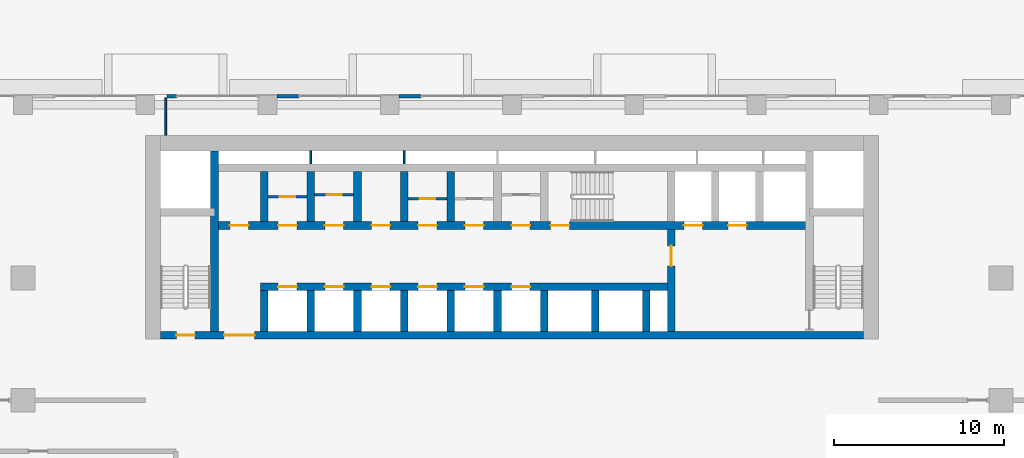
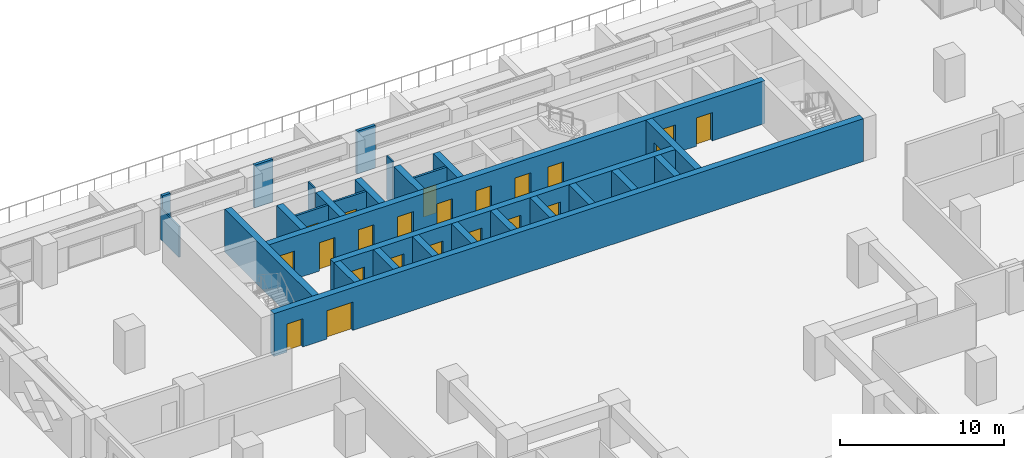
# One storey, part 14 of 24: 28 walls, 22 doors, 22 openings.
"""IFC4 building model written with IfcOpenShell, lengths in metres."""

from ifc_helpers import new_model, si_unit, direction, frame, frame_2d, origin, place, context, subcontext, project, spatial, rectangle, extrude, material, layer, layer_set, type_object, element, fill, save


model = new_model("IFC4")

# Units and contexts
model_context = context("Model", 3, precision=1e-05, world=origin(), true_north=direction((0.0, 1.0)))
body_context = subcontext(model_context, "Body", "Model", "MODEL_VIEW")
ifc_project = project(units=[si_unit("LENGTHUNIT", "METRE"), si_unit("AREAUNIT", "SQUARE_METRE"), si_unit("VOLUMEUNIT", "CUBIC_METRE"), si_unit("PLANEANGLEUNIT", "RADIAN"), si_unit("MASSUNIT", "GRAM", prefix="KILO")], contexts=[model_context])

# Site, building, storey
site_placement = place(None, origin())
site = spatial("IfcSite", under=ifc_project, at=site_placement, CompositionType="ELEMENT")
building_placement = place(site_placement, origin())
building = spatial("IfcBuilding", under=site, at=building_placement, Name="Saffron Iwan Residences", CompositionType="ELEMENT")
storey_placement = place(building_placement, frame((0.0, 0.0, 27.0)))
storey = spatial("IfcBuildingStorey", under=building, at=storey_placement, Name="L05", CompositionType="ELEMENT", Elevation=27.0)

# Wall, opening, door
ifc_material_1 = material(Name="Fire-rated plasterboard partition")
ifc_layer_1 = layer(ifc_material_1, 0.14990234375)
ifc_layer_set_1 = layer_set([ifc_layer_1], Name="Fire-rated plasterboard partition")
wall_type_1 = type_object("IfcWallType", Name="Core partition 150", PredefinedType="PARTITIONING", material=ifc_layer_set_1)
wall_1_placement = place(storey_placement, frame((36.02490234375, 74.39990234375, 0.0), z_axis=(0.0, 0.0, 1.0), x_axis=(1.0, 0.0, 0.0)))
wall_1 = element("IfcWall", 1, at=wall_1_placement, inside=storey, type_object=wall_type_1, Name="Core partition P01", PredefinedType="PARTITIONING", context=body_context, shape_type="SweptSolid", body=[
    extrude(rectangle(XDim=2.300048828125, YDim=0.14990234375, at=frame_2d((1.14990234375, 0.0))), origin(), (0.0, 0.0, 1.0), 3.179931640625),
])
opening_1_placement = place(wall_1_placement, frame((0.699951171875, 0.0, 0.0)))
opening_1 = element("IfcOpeningElement", 2, at=opening_1_placement, cuts=wall_1, Name="Opening SB", PredefinedType="OPENING", context=body_context, shape_type="SweptSolid", body=[
    extrude(rectangle(XDim=0.89990234375, YDim=2.10009765625, at=frame_2d((0.449951171875, 1.050048828125))), frame((0.0, 0.0849609375, 0.0), z_axis=(0.0, -1.0, 0.0), x_axis=(1.0, 0.0, 0.0)), (0.0, 0.0, 1.0), 0.169921875),
])
ifc_material_2 = material(Name="Steel fire door", Category="steel")
door_type_1 = type_object("IfcDoorType", Name="Store door 900", OperationType="NOTDEFINED", PredefinedType="DOOR", material=ifc_material_2)
door_1_placement = place(opening_1_placement, origin())
door_1 = element("IfcDoor", 3, at=door_1_placement, inside=storey, type_object=door_type_1, Name="Door Mop store", OperationType="SINGLE_SWING_LEFT", OverallHeight=2.10009765625, OverallWidth=0.89990234375, PredefinedType="DOOR", context=body_context, shape_type="SweptSolid", body=[
    extrude(rectangle(XDim=0.89990234375, YDim=2.10009765625, at=frame_2d((0.449951171875, 1.050048828125))), frame((0.0, 0.02490234375, 0.0), z_axis=(0.0, -1.0, 0.0), x_axis=(1.0, 0.0, 0.0)), (0.0, 0.0, 1.0), 0.050048828125),
])
fill(opening_1, door_1)

wall_2_placement = place(storey_placement, frame((38.77490234375, 74.51806640625, 0.0), z_axis=(0.0, 0.0, 1.0), x_axis=(1.0, 0.0, 0.0)))
wall_2 = element("IfcWall", 4, at=wall_2_placement, inside=storey, type_object=wall_type_1, Name="Core partition P02", PredefinedType="PARTITIONING", context=body_context, shape_type="SweptSolid", body=[
    extrude(rectangle(XDim=2.300048828125, YDim=0.14990234375, at=frame_2d((1.14990234375, 0.0))), origin(), (0.0, 0.0, 1.0), 3.179931640625),
])
opening_2_placement = place(wall_2_placement, frame((0.699951171875, 0.0, 0.0)))
opening_2 = element("IfcOpeningElement", 5, at=opening_2_placement, cuts=wall_2, Name="Opening SB", PredefinedType="OPENING", context=body_context, shape_type="SweptSolid", body=[
    extrude(rectangle(XDim=0.89990234375, YDim=2.10009765625, at=frame_2d((0.449951171875, 1.050048828125))), frame((0.0, 0.0849609375, 0.0), z_axis=(0.0, -1.0, 0.0), x_axis=(1.0, 0.0, 0.0)), (0.0, 0.0, 1.0), 0.169921875),
])
door_2_placement = place(opening_2_placement, origin())
door_2 = element("IfcDoor", 6, at=door_2_placement, inside=storey, type_object=door_type_1, Name="Door Spares store", OperationType="SINGLE_SWING_LEFT", OverallHeight=2.10009765625, OverallWidth=0.89990234375, PredefinedType="DOOR", context=body_context, shape_type="SweptSolid", body=[
    extrude(rectangle(XDim=0.89990234375, YDim=2.10009765625, at=frame_2d((0.449951171875, 1.050048828125))), frame((0.0, 0.02490234375, 0.0), z_axis=(0.0, -1.0, 0.0), x_axis=(1.0, 0.0, 0.0)), (0.0, 0.0, 1.0), 0.050048828125),
])
fill(opening_2, door_2)

wall_3_placement = place(storey_placement, frame((44.27490234375, 74.281982421875, 0.0), z_axis=(0.0, 0.0, 1.0), x_axis=(1.0, 0.0, 0.0)))
wall_3 = element("IfcWall", 7, at=wall_3_placement, inside=storey, type_object=wall_type_1, Name="Core partition P03", PredefinedType="PARTITIONING", context=body_context, shape_type="SweptSolid", body=[
    extrude(rectangle(XDim=2.300048828125, YDim=0.14990234375, at=frame_2d((1.14990234375, 0.0))), origin(), (0.0, 0.0, 1.0), 3.179931640625),
])
opening_3_placement = place(wall_3_placement, frame((0.699951171875, 0.0, 0.0)))
opening_3 = element("IfcOpeningElement", 8, at=opening_3_placement, cuts=wall_3, Name="Opening SB", PredefinedType="OPENING", context=body_context, shape_type="SweptSolid", body=[
    extrude(rectangle(XDim=0.89990234375, YDim=2.10009765625, at=frame_2d((0.449951171875, 1.050048828125))), frame((0.0, 0.0849609375, 0.0), z_axis=(0.0, -1.0, 0.0), x_axis=(1.0, 0.0, 0.0)), (0.0, 0.0, 1.0), 0.169921875),
])
door_3_placement = place(opening_3_placement, origin())
door_3 = element("IfcDoor", 9, at=door_3_placement, inside=storey, type_object=door_type_1, Name="Door Records store", OperationType="SINGLE_SWING_RIGHT", OverallHeight=2.10009765625, OverallWidth=0.89990234375, PredefinedType="DOOR", context=body_context, shape_type="SweptSolid", body=[
    extrude(rectangle(XDim=0.89990234375, YDim=2.10009765625, at=frame_2d((0.449951171875, 1.050048828125))), frame((0.0, 0.02490234375, 0.0), z_axis=(0.0, -1.0, 0.0), x_axis=(1.0, 0.0, 0.0)), (0.0, 0.0, 1.0), 0.050048828125),
])
fill(opening_3, door_3)

# Walls
ifc_material_3 = material(Name="Concrete C40/50", Category="concrete")
ifc_layer_2 = layer(ifc_material_3, 0.199951171875)
ifc_layer_set_2 = layer_set([ifc_layer_2], Name="Concrete C40/50")
wall_type_2 = type_object("IfcWallType", Name="EXTERNAL WALL 200", PredefinedType="SOLIDWALL", material=ifc_layer_set_2)
for number, where, z_axis, x_axis, name in (
    (10, (45.050048828125, 80.320068359375, 0.0), (0.0, 0.0, 1.0), (-1.0, 0.0, 0.0), "External wall infill CWD-L05-F5-5"),
    (11, (37.85009765625, 80.320068359375, 0.0), (0.0, 0.0, 1.0), (-1.0, 0.0, 0.0), "External wall infill CWD-L05-F5-6"),
):
    element("IfcWall", number, at=place(storey_placement, frame(where, z_axis=z_axis, x_axis=x_axis)), inside=storey, type_object=wall_type_2, Name=name, PredefinedType="SOLIDWALL", context=body_context, shape_type="SweptSolid", body=[
        extrude(rectangle(XDim=1.300048828125, YDim=0.199951171875, at=frame_2d((0.64990234375, 0.0))), origin(), (0.0, 0.0, 1.0), 3.179931640625),
    ])
wall_4_placement = place(storey_placement, frame((30.64990234375, 80.320068359375, 0.0), z_axis=(0.0, 0.0, 1.0), x_axis=(-1.0, 0.0, 0.0)))
element("IfcWall", 12, at=wall_4_placement, inside=storey, type_object=wall_type_2, Name="External wall infill CWD-L05-F5-7", PredefinedType="SOLIDWALL", context=body_context, shape_type="SweptSolid", body=[
    extrude(rectangle(XDim=0.579833984375, YDim=0.199951171875, at=frame_2d((0.2900390625, 0.0))), origin(), (0.0, 0.0, 1.0), 3.179931640625),
])
ifc_material_4 = material(Name="Glass", Category="glass")
ifc_layer_3 = layer(ifc_material_4, 0.10009765625)
ifc_layer_set_3 = layer_set([ifc_layer_3], Name="Glass")
wall_type_3 = type_object("IfcWallType", Name="Glazed screen wall 100", PredefinedType="PARTITIONING", material=ifc_layer_set_3)
wall_5_placement = place(storey_placement, frame((30.0, 78.001953125, 0.0), z_axis=(0.0, 0.0, 1.0), x_axis=(0.0, 1.0, 0.0)))
element("IfcWall", 13, at=wall_5_placement, inside=storey, type_object=wall_type_3, Name="W-L05-020", PredefinedType="PARTITIONING", context=body_context, shape_type="SweptSolid", body=[
    extrude(rectangle(XDim=2.22802734375, YDim=0.10009765625, at=frame_2d((1.114013671875, 0.0))), origin(), (0.0, 0.0, 1.0), 2.280029296875),
])
ifc_layer_4 = layer(ifc_material_1, 0.10009765625)
ifc_layer_set_4 = layer_set([ifc_layer_4], Name="Fire-rated plasterboard partition")
wall_type_4 = type_object("IfcWallType", Name="Riser partition 100", PredefinedType="PARTITIONING", material=ifc_layer_set_4)
for number, where, z_axis, x_axis, name in (
    (14, (38.550048828125, 76.324951171875, 0.0), (0.0, 0.0, 1.0), (0.0, 1.0, 0.0), "Core partition P06"),
    (15, (44.050048828125, 76.324951171875, 0.0), (0.0, 0.0, 1.0), (0.0, 1.0, 0.0), "Core partition P07"),
):
    element("IfcWall", number, at=place(storey_placement, frame(where, z_axis=z_axis, x_axis=x_axis)), inside=storey, type_object=wall_type_4, Name=name, PredefinedType="PARTITIONING", context=body_context, shape_type="SweptSolid", body=[
        extrude(rectangle(XDim=0.775146484375, YDim=0.10009765625, at=frame_2d((0.3876953125, 0.0))), origin(), (0.0, 0.0, 1.0), 3.179931640625),
    ])

# Wall, openings, doors
ifc_material_5 = material(Name="Concrete C60/75", Category="concrete")
ifc_layer_5 = layer(ifc_material_5, 0.449951171875)
ifc_layer_set_5 = layer_set([ifc_layer_5], Name="Concrete C60/75")
wall_type_5 = type_object("IfcWallType", Name="WALL CORE 450 C60/75 3180 HIGH", PredefinedType="SHEAR", material=ifc_layer_set_5)
wall_6_placement = place(storey_placement, frame((29.699951171875, 66.22509765625, 0.0), z_axis=(0.0, 0.0, 1.0), x_axis=(1.0, 0.0, 0.0)))
wall_6 = element("IfcWall", 16, at=wall_6_placement, inside=storey, type_object=wall_type_5, Name="Core wall", PredefinedType="SHEAR", context=body_context, shape_type="SweptSolid", body=[
    extrude(rectangle(XDim=41.400146484375, YDim=0.449951171875, at=frame_2d((20.7001953125, 0.0))), origin(), (0.0, 0.0, 1.0), 3.179931640625),
])
opening_4_placement = place(wall_6_placement, frame((0.925048828125, 0.0, 0.0)))
opening_4 = element("IfcOpeningElement", 17, at=opening_4_placement, cuts=wall_6, Name="Opening SD", PredefinedType="OPENING", context=body_context, shape_type="SweptSolid", body=[
    extrude(rectangle(XDim=1.10009765625, YDim=2.10009765625, at=frame_2d((0.550048828125, 1.050048828125))), frame((0.0, 0.23486328125, 0.0), z_axis=(0.0, -1.0, 0.0), x_axis=(1.0, 0.0, 0.0)), (0.0, 0.0, 1.0), 0.469970703125),
])
opening_5_placement = place(wall_6_placement, frame((3.737548828125, 0.0, 0.0)))
opening_5 = element("IfcOpeningElement", 18, at=opening_5_placement, cuts=wall_6, Name="Opening DD", PredefinedType="OPENING", context=body_context, shape_type="SweptSolid", body=[
    extrude(rectangle(XDim=1.800048828125, YDim=2.10009765625, at=frame_2d((0.89990234375, 1.050048828125))), frame((0.0, 0.23486328125, 0.0), z_axis=(0.0, -1.0, 0.0), x_axis=(1.0, 0.0, 0.0)), (0.0, 0.0, 1.0), 0.469970703125),
])
door_type_2 = type_object("IfcDoorType", Name="Lobby double door 1800", OperationType="DOUBLE_DOOR_SINGLE_SWING", PredefinedType="DOOR", material=ifc_material_2)
door_4_placement = place(opening_5_placement, origin())
door_4 = element("IfcDoor", 19, at=door_4_placement, inside=storey, type_object=door_type_2, Name="Lobby doors", OperationType="DOUBLE_DOOR_SINGLE_SWING", OverallHeight=2.10009765625, OverallWidth=1.800048828125, PredefinedType="DOOR", context=body_context, shape_type="SweptSolid", body=[
    extrude(rectangle(XDim=1.800048828125, YDim=2.10009765625, at=frame_2d((0.89990234375, 1.050048828125))), frame((0.0, 0.02490234375, 0.0), z_axis=(0.0, -1.0, 0.0), x_axis=(1.0, 0.0, 0.0)), (0.0, 0.0, 1.0), 0.050048828125),
])
fill(opening_5, door_4)
door_type_3 = type_object("IfcDoorType", Name="Stair door 1100", OperationType="NOTDEFINED", PredefinedType="DOOR", material=ifc_material_2)
door_5_placement = place(opening_4_placement, origin())
door_5 = element("IfcDoor", 20, at=door_5_placement, inside=storey, type_object=door_type_3, Name="Stair door ST-W", OperationType="SINGLE_SWING_LEFT", OverallHeight=2.10009765625, OverallWidth=1.10009765625, PredefinedType="DOOR", context=body_context, shape_type="SweptSolid", body=[
    extrude(rectangle(XDim=1.10009765625, YDim=2.10009765625, at=frame_2d((0.550048828125, 1.050048828125))), frame((0.0, 0.02490234375, 0.0), z_axis=(0.0, -1.0, 0.0), x_axis=(1.0, 0.0, 0.0)), (0.0, 0.0, 1.0), 0.050048828125),
])
fill(opening_4, door_5)

wall_7_placement = place(storey_placement, frame((35.574951171875, 69.10009765625, 0.0), z_axis=(0.0, 0.0, 1.0), x_axis=(1.0, 0.0, 0.0)))
wall_7 = element("IfcWall", 21, at=wall_7_placement, inside=storey, type_object=wall_type_5, Name="Core wall", PredefinedType="SHEAR", context=body_context, shape_type="SweptSolid", body=[
    extrude(rectangle(XDim=24.199951171875, YDim=0.449951171875, at=frame_2d((12.10009765625, 0.0))), origin(), (0.0, 0.0, 1.0), 3.179931640625),
])
opening_6_placement = place(wall_7_placement, frame((1.050048828125, 0.0, 0.0)))
opening_6 = element("IfcOpeningElement", 22, at=opening_6_placement, cuts=wall_7, Name="Opening LD", PredefinedType="OPENING", context=body_context, shape_type="SweptSolid", body=[
    extrude(rectangle(XDim=1.10009765625, YDim=2.10009765625, at=frame_2d((0.550048828125, 1.050048828125))), frame((0.0, 0.23486328125, 0.0), z_axis=(0.0, -1.0, 0.0), x_axis=(1.0, 0.0, 0.0)), (0.0, 0.0, 1.0), 0.469970703125),
])
opening_7_placement = place(wall_7_placement, frame((3.800048828125, 0.0, 0.0)))
opening_7 = element("IfcOpeningElement", 23, at=opening_7_placement, cuts=wall_7, Name="Opening LD", PredefinedType="OPENING", context=body_context, shape_type="SweptSolid", body=[
    extrude(rectangle(XDim=1.10009765625, YDim=2.10009765625, at=frame_2d((0.550048828125, 1.050048828125))), frame((0.0, 0.23486328125, 0.0), z_axis=(0.0, -1.0, 0.0), x_axis=(1.0, 0.0, 0.0)), (0.0, 0.0, 1.0), 0.469970703125),
])
opening_8_placement = place(wall_7_placement, frame((6.550048828125, 0.0, 0.0)))
opening_8 = element("IfcOpeningElement", 24, at=opening_8_placement, cuts=wall_7, Name="Opening LD", PredefinedType="OPENING", context=body_context, shape_type="SweptSolid", body=[
    extrude(rectangle(XDim=1.10009765625, YDim=2.10009765625, at=frame_2d((0.550048828125, 1.050048828125))), frame((0.0, 0.23486328125, 0.0), z_axis=(0.0, -1.0, 0.0), x_axis=(1.0, 0.0, 0.0)), (0.0, 0.0, 1.0), 0.469970703125),
])
opening_9_placement = place(wall_7_placement, frame((9.300048828125, 0.0, 0.0)))
opening_9 = element("IfcOpeningElement", 25, at=opening_9_placement, cuts=wall_7, Name="Opening LD", PredefinedType="OPENING", context=body_context, shape_type="SweptSolid", body=[
    extrude(rectangle(XDim=1.10009765625, YDim=2.10009765625, at=frame_2d((0.550048828125, 1.050048828125))), frame((0.0, 0.23486328125, 0.0), z_axis=(0.0, -1.0, 0.0), x_axis=(1.0, 0.0, 0.0)), (0.0, 0.0, 1.0), 0.469970703125),
])
opening_10_placement = place(wall_7_placement, frame((12.050048828125, 0.0, 0.0)))
opening_10 = element("IfcOpeningElement", 26, at=opening_10_placement, cuts=wall_7, Name="Opening LD", PredefinedType="OPENING", context=body_context, shape_type="SweptSolid", body=[
    extrude(rectangle(XDim=1.10009765625, YDim=2.10009765625, at=frame_2d((0.550048828125, 1.050048828125))), frame((0.0, 0.23486328125, 0.0), z_axis=(0.0, -1.0, 0.0), x_axis=(1.0, 0.0, 0.0)), (0.0, 0.0, 1.0), 0.469970703125),
])
opening_11_placement = place(wall_7_placement, frame((14.800048828125, 0.0, 0.0)))
opening_11 = element("IfcOpeningElement", 27, at=opening_11_placement, cuts=wall_7, Name="Opening LD", PredefinedType="OPENING", context=body_context, shape_type="SweptSolid", body=[
    extrude(rectangle(XDim=1.10009765625, YDim=2.10009765625, at=frame_2d((0.550048828125, 1.050048828125))), frame((0.0, 0.23486328125, 0.0), z_axis=(0.0, -1.0, 0.0), x_axis=(1.0, 0.0, 0.0)), (0.0, 0.0, 1.0), 0.469970703125),
])
door_type_4 = type_object("IfcDoorType", Name="Lift landing door 1100", OperationType="SLIDING_TO_LEFT", PredefinedType="DOOR", material=ifc_material_2)
door_6_placement = place(opening_6_placement, origin())
door_6 = element("IfcDoor", 28, at=door_6_placement, inside=storey, type_object=door_type_4, Name="Landing doors LR1", OperationType="SLIDING_TO_LEFT", OverallHeight=2.10009765625, OverallWidth=1.10009765625, PredefinedType="DOOR", context=body_context, shape_type="SweptSolid", body=[
    extrude(rectangle(XDim=1.10009765625, YDim=2.10009765625, at=frame_2d((0.550048828125, 1.050048828125))), frame((0.0, 0.02490234375, 0.0), z_axis=(0.0, -1.0, 0.0), x_axis=(1.0, 0.0, 0.0)), (0.0, 0.0, 1.0), 0.050048828125),
])
fill(opening_6, door_6)
door_7_placement = place(opening_7_placement, origin())
door_7 = element("IfcDoor", 29, at=door_7_placement, inside=storey, type_object=door_type_4, Name="Landing doors LR2", OperationType="SLIDING_TO_LEFT", OverallHeight=2.10009765625, OverallWidth=1.10009765625, PredefinedType="DOOR", context=body_context, shape_type="SweptSolid", body=[
    extrude(rectangle(XDim=1.10009765625, YDim=2.10009765625, at=frame_2d((0.550048828125, 1.050048828125))), frame((0.0, 0.02490234375, 0.0), z_axis=(0.0, -1.0, 0.0), x_axis=(1.0, 0.0, 0.0)), (0.0, 0.0, 1.0), 0.050048828125),
])
fill(opening_7, door_7)
door_8_placement = place(opening_8_placement, origin())
door_8 = element("IfcDoor", 30, at=door_8_placement, inside=storey, type_object=door_type_4, Name="Landing doors LR3", OperationType="SLIDING_TO_LEFT", OverallHeight=2.10009765625, OverallWidth=1.10009765625, PredefinedType="DOOR", context=body_context, shape_type="SweptSolid", body=[
    extrude(rectangle(XDim=1.10009765625, YDim=2.10009765625, at=frame_2d((0.550048828125, 1.050048828125))), frame((0.0, 0.02490234375, 0.0), z_axis=(0.0, -1.0, 0.0), x_axis=(1.0, 0.0, 0.0)), (0.0, 0.0, 1.0), 0.050048828125),
])
fill(opening_8, door_8)
door_9_placement = place(opening_9_placement, origin())
door_9 = element("IfcDoor", 31, at=door_9_placement, inside=storey, type_object=door_type_4, Name="Landing doors LR4", OperationType="SLIDING_TO_LEFT", OverallHeight=2.10009765625, OverallWidth=1.10009765625, PredefinedType="DOOR", context=body_context, shape_type="SweptSolid", body=[
    extrude(rectangle(XDim=1.10009765625, YDim=2.10009765625, at=frame_2d((0.550048828125, 1.050048828125))), frame((0.0, 0.02490234375, 0.0), z_axis=(0.0, -1.0, 0.0), x_axis=(1.0, 0.0, 0.0)), (0.0, 0.0, 1.0), 0.050048828125),
])
fill(opening_9, door_9)
door_10_placement = place(opening_10_placement, origin())
door_10 = element("IfcDoor", 32, at=door_10_placement, inside=storey, type_object=door_type_4, Name="Landing doors LR5", OperationType="SLIDING_TO_LEFT", OverallHeight=2.10009765625, OverallWidth=1.10009765625, PredefinedType="DOOR", context=body_context, shape_type="SweptSolid", body=[
    extrude(rectangle(XDim=1.10009765625, YDim=2.10009765625, at=frame_2d((0.550048828125, 1.050048828125))), frame((0.0, 0.02490234375, 0.0), z_axis=(0.0, -1.0, 0.0), x_axis=(1.0, 0.0, 0.0)), (0.0, 0.0, 1.0), 0.050048828125),
])
fill(opening_10, door_10)
door_11_placement = place(opening_11_placement, origin())
door_11 = element("IfcDoor", 33, at=door_11_placement, inside=storey, type_object=door_type_4, Name="Landing doors LR6", OperationType="SLIDING_TO_LEFT", OverallHeight=2.10009765625, OverallWidth=1.10009765625, PredefinedType="DOOR", context=body_context, shape_type="SweptSolid", body=[
    extrude(rectangle(XDim=1.10009765625, YDim=2.10009765625, at=frame_2d((0.550048828125, 1.050048828125))), frame((0.0, 0.02490234375, 0.0), z_axis=(0.0, -1.0, 0.0), x_axis=(1.0, 0.0, 0.0)), (0.0, 0.0, 1.0), 0.050048828125),
])
fill(opening_11, door_11)

wall_8_placement = place(storey_placement, frame((32.875, 72.699951171875, 0.0), z_axis=(0.0, 0.0, 1.0), x_axis=(1.0, 0.0, 0.0)))
wall_8 = element("IfcWall", 34, at=wall_8_placement, inside=storey, type_object=wall_type_5, Name="Core wall", PredefinedType="SHEAR", context=body_context, shape_type="SweptSolid", body=[
    extrude(rectangle(XDim=35.050048828125, YDim=0.449951171875, at=frame_2d((17.52490234375, 0.0))), origin(), (0.0, 0.0, 1.0), 3.179931640625),
])
opening_12_placement = place(wall_8_placement, frame((19.800048828125, 0.0, 0.0)))
opening_12 = element("IfcOpeningElement", 35, at=opening_12_placement, cuts=wall_8, Name="Opening SD", PredefinedType="OPENING", context=body_context, shape_type="SweptSolid", body=[
    extrude(rectangle(XDim=1.10009765625, YDim=2.10009765625, at=frame_2d((0.550048828125, 1.050048828125))), frame((0.0, 0.23486328125, 0.0), z_axis=(0.0, -1.0, 0.0), x_axis=(1.0, 0.0, 0.0)), (0.0, 0.0, 1.0), 0.469970703125),
])
opening_13_placement = place(wall_8_placement, frame((27.64990234375, 0.0, 0.0)))
opening_13 = element("IfcOpeningElement", 36, at=opening_13_placement, cuts=wall_8, Name="Opening LD", PredefinedType="OPENING", context=body_context, shape_type="SweptSolid", body=[
    extrude(rectangle(XDim=1.10009765625, YDim=2.10009765625, at=frame_2d((0.550048828125, 1.050048828125))), frame((0.0, 0.23486328125, 0.0), z_axis=(0.0, -1.0, 0.0), x_axis=(1.0, 0.0, 0.0)), (0.0, 0.0, 1.0), 0.469970703125),
])
opening_14_placement = place(wall_8_placement, frame((30.25, 0.0, 0.0)))
opening_14 = element("IfcOpeningElement", 37, at=opening_14_placement, cuts=wall_8, Name="Opening LD", PredefinedType="OPENING", context=body_context, shape_type="SweptSolid", body=[
    extrude(rectangle(XDim=1.10009765625, YDim=2.10009765625, at=frame_2d((0.550048828125, 1.050048828125))), frame((0.0, 0.23486328125, 0.0), z_axis=(0.0, -1.0, 0.0), x_axis=(1.0, 0.0, 0.0)), (0.0, 0.0, 1.0), 0.469970703125),
])
opening_15_placement = place(wall_8_placement, frame((3.75, 0.0, 0.0)))
opening_15 = element("IfcOpeningElement", 38, at=opening_15_placement, cuts=wall_8, Name="Opening SR", PredefinedType="OPENING", context=body_context, shape_type="SweptSolid", body=[
    extrude(rectangle(XDim=1.10009765625, YDim=2.10009765625, at=frame_2d((0.550048828125, 1.050048828125))), frame((0.0, 0.23486328125, 0.0), z_axis=(0.0, -1.0, 0.0), x_axis=(1.0, 0.0, 0.0)), (0.0, 0.0, 1.0), 0.469970703125),
])
opening_16_placement = place(wall_8_placement, frame((6.5, 0.0, 0.0)))
opening_16 = element("IfcOpeningElement", 39, at=opening_16_placement, cuts=wall_8, Name="Opening SR", PredefinedType="OPENING", context=body_context, shape_type="SweptSolid", body=[
    extrude(rectangle(XDim=1.10009765625, YDim=2.10009765625, at=frame_2d((0.550048828125, 1.050048828125))), frame((0.0, 0.23486328125, 0.0), z_axis=(0.0, -1.0, 0.0), x_axis=(1.0, 0.0, 0.0)), (0.0, 0.0, 1.0), 0.469970703125),
])
opening_17_placement = place(wall_8_placement, frame((9.25, 0.0, 0.0)))
opening_17 = element("IfcOpeningElement", 40, at=opening_17_placement, cuts=wall_8, Name="Opening SR", PredefinedType="OPENING", context=body_context, shape_type="SweptSolid", body=[
    extrude(rectangle(XDim=1.10009765625, YDim=2.10009765625, at=frame_2d((0.550048828125, 1.050048828125))), frame((0.0, 0.23486328125, 0.0), z_axis=(0.0, -1.0, 0.0), x_axis=(1.0, 0.0, 0.0)), (0.0, 0.0, 1.0), 0.469970703125),
])
opening_18_placement = place(wall_8_placement, frame((12.0, 0.0, 0.0)))
opening_18 = element("IfcOpeningElement", 41, at=opening_18_placement, cuts=wall_8, Name="Opening SR", PredefinedType="OPENING", context=body_context, shape_type="SweptSolid", body=[
    extrude(rectangle(XDim=1.10009765625, YDim=2.10009765625, at=frame_2d((0.550048828125, 1.050048828125))), frame((0.0, 0.23486328125, 0.0), z_axis=(0.0, -1.0, 0.0), x_axis=(1.0, 0.0, 0.0)), (0.0, 0.0, 1.0), 0.469970703125),
])
opening_19_placement = place(wall_8_placement, frame((14.75, 0.0, 0.0)))
opening_19 = element("IfcOpeningElement", 42, at=opening_19_placement, cuts=wall_8, Name="Opening SR", PredefinedType="OPENING", context=body_context, shape_type="SweptSolid", body=[
    extrude(rectangle(XDim=1.10009765625, YDim=2.10009765625, at=frame_2d((0.550048828125, 1.050048828125))), frame((0.0, 0.23486328125, 0.0), z_axis=(0.0, -1.0, 0.0), x_axis=(1.0, 0.0, 0.0)), (0.0, 0.0, 1.0), 0.469970703125),
])
opening_20_placement = place(wall_8_placement, frame((17.5, 0.0, 0.0)))
opening_20 = element("IfcOpeningElement", 43, at=opening_20_placement, cuts=wall_8, Name="Opening SR", PredefinedType="OPENING", context=body_context, shape_type="SweptSolid", body=[
    extrude(rectangle(XDim=1.10009765625, YDim=2.10009765625, at=frame_2d((0.550048828125, 1.050048828125))), frame((0.0, 0.23486328125, 0.0), z_axis=(0.0, -1.0, 0.0), x_axis=(1.0, 0.0, 0.0)), (0.0, 0.0, 1.0), 0.469970703125),
])
opening_21_placement = place(wall_8_placement, frame((0.91259765625, 0.0, 0.0)))
opening_21 = element("IfcOpeningElement", 44, at=opening_21_placement, cuts=wall_8, Name="Opening SR", PredefinedType="OPENING", context=body_context, shape_type="SweptSolid", body=[
    extrude(rectangle(XDim=1.10009765625, YDim=2.10009765625, at=frame_2d((0.550048828125, 1.050048828125))), frame((0.0, 0.23486328125, 0.0), z_axis=(0.0, -1.0, 0.0), x_axis=(1.0, 0.0, 0.0)), (0.0, 0.0, 1.0), 0.469970703125),
])
door_12_placement = place(opening_13_placement, origin())
door_12 = element("IfcDoor", 45, at=door_12_placement, inside=storey, type_object=door_type_4, Name="Landing doors FF1", OperationType="SLIDING_TO_LEFT", OverallHeight=2.10009765625, OverallWidth=1.10009765625, PredefinedType="DOOR", context=body_context, shape_type="SweptSolid", body=[
    extrude(rectangle(XDim=1.10009765625, YDim=2.10009765625, at=frame_2d((0.550048828125, 1.050048828125))), frame((0.0, 0.02490234375, 0.0), z_axis=(0.0, -1.0, 0.0), x_axis=(1.0, 0.0, 0.0)), (0.0, 0.0, 1.0), 0.050048828125),
])
fill(opening_13, door_12)
door_13_placement = place(opening_14_placement, origin())
door_13 = element("IfcDoor", 46, at=door_13_placement, inside=storey, type_object=door_type_4, Name="Landing doors FF2", OperationType="SLIDING_TO_LEFT", OverallHeight=2.10009765625, OverallWidth=1.10009765625, PredefinedType="DOOR", context=body_context, shape_type="SweptSolid", body=[
    extrude(rectangle(XDim=1.10009765625, YDim=2.10009765625, at=frame_2d((0.550048828125, 1.050048828125))), frame((0.0, 0.02490234375, 0.0), z_axis=(0.0, -1.0, 0.0), x_axis=(1.0, 0.0, 0.0)), (0.0, 0.0, 1.0), 0.050048828125),
])
fill(opening_14, door_13)
door_type_5 = type_object("IfcDoorType", Name="Service door 1100", OperationType="NOTDEFINED", PredefinedType="DOOR", material=ifc_material_2)
door_14_placement = place(opening_15_placement, origin())
door_14 = element("IfcDoor", 47, at=door_14_placement, inside=storey, type_object=door_type_5, Name="Door Trolley store", OperationType="SINGLE_SWING_LEFT", OverallHeight=2.10009765625, OverallWidth=1.10009765625, PredefinedType="DOOR", context=body_context, shape_type="SweptSolid", body=[
    extrude(rectangle(XDim=1.10009765625, YDim=2.10009765625, at=frame_2d((0.550048828125, 1.050048828125))), frame((0.0, 0.02490234375, 0.0), z_axis=(0.0, -1.0, 0.0), x_axis=(1.0, 0.0, 0.0)), (0.0, 0.0, 1.0), 0.050048828125),
])
fill(opening_15, door_14)
door_15_placement = place(opening_16_placement, origin())
door_15 = element("IfcDoor", 48, at=door_15_placement, inside=storey, type_object=door_type_5, Name="Door Communications room", OperationType="SINGLE_SWING_LEFT", OverallHeight=2.10009765625, OverallWidth=1.10009765625, PredefinedType="DOOR", context=body_context, shape_type="SweptSolid", body=[
    extrude(rectangle(XDim=1.10009765625, YDim=2.10009765625, at=frame_2d((0.550048828125, 1.050048828125))), frame((0.0, 0.02490234375, 0.0), z_axis=(0.0, -1.0, 0.0), x_axis=(1.0, 0.0, 0.0)), (0.0, 0.0, 1.0), 0.050048828125),
])
fill(opening_16, door_15)
door_16_placement = place(opening_17_placement, origin())
door_16 = element("IfcDoor", 49, at=door_16_placement, inside=storey, type_object=door_type_5, Name="Door Switch room", OperationType="SINGLE_SWING_LEFT", OverallHeight=2.10009765625, OverallWidth=1.10009765625, PredefinedType="DOOR", context=body_context, shape_type="SweptSolid", body=[
    extrude(rectangle(XDim=1.10009765625, YDim=2.10009765625, at=frame_2d((0.550048828125, 1.050048828125))), frame((0.0, 0.02490234375, 0.0), z_axis=(0.0, -1.0, 0.0), x_axis=(1.0, 0.0, 0.0)), (0.0, 0.0, 1.0), 0.050048828125),
])
fill(opening_17, door_16)
door_17_placement = place(opening_18_placement, origin())
door_17 = element("IfcDoor", 50, at=door_17_placement, inside=storey, type_object=door_type_5, Name="Door Furniture store", OperationType="SINGLE_SWING_LEFT", OverallHeight=2.10009765625, OverallWidth=1.10009765625, PredefinedType="DOOR", context=body_context, shape_type="SweptSolid", body=[
    extrude(rectangle(XDim=1.10009765625, YDim=2.10009765625, at=frame_2d((0.550048828125, 1.050048828125))), frame((0.0, 0.02490234375, 0.0), z_axis=(0.0, -1.0, 0.0), x_axis=(1.0, 0.0, 0.0)), (0.0, 0.0, 1.0), 0.050048828125),
])
fill(opening_18, door_17)
door_18_placement = place(opening_19_placement, origin())
door_18 = element("IfcDoor", 51, at=door_18_placement, inside=storey, type_object=door_type_5, Name="Door Housekeeping store", OperationType="SINGLE_SWING_LEFT", OverallHeight=2.10009765625, OverallWidth=1.10009765625, PredefinedType="DOOR", context=body_context, shape_type="SweptSolid", body=[
    extrude(rectangle(XDim=1.10009765625, YDim=2.10009765625, at=frame_2d((0.550048828125, 1.050048828125))), frame((0.0, 0.02490234375, 0.0), z_axis=(0.0, -1.0, 0.0), x_axis=(1.0, 0.0, 0.0)), (0.0, 0.0, 1.0), 0.050048828125),
])
fill(opening_19, door_18)
door_19_placement = place(opening_20_placement, origin())
door_19 = element("IfcDoor", 52, at=door_19_placement, inside=storey, type_object=door_type_5, Name="Door Cleaner's store", OperationType="SINGLE_SWING_LEFT", OverallHeight=2.10009765625, OverallWidth=1.10009765625, PredefinedType="DOOR", context=body_context, shape_type="SweptSolid", body=[
    extrude(rectangle(XDim=1.10009765625, YDim=2.10009765625, at=frame_2d((0.550048828125, 1.050048828125))), frame((0.0, 0.02490234375, 0.0), z_axis=(0.0, -1.0, 0.0), x_axis=(1.0, 0.0, 0.0)), (0.0, 0.0, 1.0), 0.050048828125),
])
fill(opening_20, door_19)
door_20_placement = place(opening_21_placement, origin())
door_20 = element("IfcDoor", 53, at=door_20_placement, inside=storey, type_object=door_type_5, Name="Door Storage room", OperationType="SINGLE_SWING_LEFT", OverallHeight=2.10009765625, OverallWidth=1.10009765625, PredefinedType="DOOR", context=body_context, shape_type="SweptSolid", body=[
    extrude(rectangle(XDim=1.10009765625, YDim=2.10009765625, at=frame_2d((0.550048828125, 1.050048828125))), frame((0.0, 0.02490234375, 0.0), z_axis=(0.0, -1.0, 0.0), x_axis=(1.0, 0.0, 0.0)), (0.0, 0.0, 1.0), 0.050048828125),
])
fill(opening_21, door_20)
door_21_placement = place(opening_12_placement, origin())
door_21 = element("IfcDoor", 54, at=door_21_placement, inside=storey, type_object=door_type_3, Name="Stair door ST-C", OperationType="SINGLE_SWING_LEFT", OverallHeight=2.10009765625, OverallWidth=1.10009765625, PredefinedType="DOOR", context=body_context, shape_type="SweptSolid", body=[
    extrude(rectangle(XDim=1.10009765625, YDim=2.10009765625, at=frame_2d((0.550048828125, 1.050048828125))), frame((0.0, 0.02490234375, 0.0), z_axis=(0.0, -1.0, 0.0), x_axis=(1.0, 0.0, 0.0)), (0.0, 0.0, 1.0), 0.050048828125),
])
fill(opening_12, door_21)

# Wall
wall_9_placement = place(storey_placement, frame((32.875, 66.449951171875, 0.0), z_axis=(0.0, 0.0, 1.0), x_axis=(0.0, 1.0, 0.0)))
element("IfcWall", 55, at=wall_9_placement, inside=storey, type_object=wall_type_5, Name="Core wall", PredefinedType="SHEAR", context=body_context, shape_type="SweptSolid", body=[
    extrude(rectangle(XDim=10.650146484375, YDim=0.449951171875, at=frame_2d((5.3251953125, 0.0))), origin(), (0.0, 0.0, 1.0), 3.179931640625),
])

# Wall, opening, door
wall_10_placement = place(storey_placement, frame((59.77490234375, 66.449951171875, 0.0), z_axis=(0.0, 0.0, 1.0), x_axis=(0.0, 1.0, 0.0)))
wall_10 = element("IfcWall", 56, at=wall_10_placement, inside=storey, type_object=wall_type_5, Name="Core wall", PredefinedType="SHEAR", context=body_context, shape_type="SweptSolid", body=[
    extrude(rectangle(XDim=6.025146484375, YDim=0.449951171875, at=frame_2d((3.0126953125, 0.0))), origin(), (0.0, 0.0, 1.0), 3.179931640625),
])
opening_22_placement = place(wall_10_placement, frame((3.85009765625, 0.0, 0.0)))
opening_22 = element("IfcOpeningElement", 57, at=opening_22_placement, cuts=wall_10, Name="Opening FD", PredefinedType="OPENING", context=body_context, shape_type="SweptSolid", body=[
    extrude(rectangle(XDim=1.199951171875, YDim=2.10009765625, at=frame_2d((0.60009765625, 1.050048828125))), frame((0.0, 0.23486328125, 0.0), z_axis=(0.0, -1.0, 0.0), x_axis=(1.0, 0.0, 0.0)), (0.0, 0.0, 1.0), 0.469970703125),
])
door_type_6 = type_object("IfcDoorType", Name="Firefighting lobby door 1200", OperationType="NOTDEFINED", PredefinedType="DOOR", material=ifc_material_2)
door_22_placement = place(opening_22_placement, origin())
door_22 = element("IfcDoor", 58, at=door_22_placement, inside=storey, type_object=door_type_6, Name="Firefighting lobby door", OperationType="SINGLE_SWING_RIGHT", OverallHeight=2.10009765625, OverallWidth=1.199951171875, PredefinedType="DOOR", context=body_context, shape_type="SweptSolid", body=[
    extrude(rectangle(XDim=1.199951171875, YDim=2.10009765625, at=frame_2d((0.60009765625, 1.050048828125))), frame((0.0, 0.02490234375, 0.0), z_axis=(0.0, -1.0, 0.0), x_axis=(1.0, 0.0, 0.0)), (0.0, 0.0, 1.0), 0.050048828125),
])
fill(opening_22, door_22)

# Walls
for number, where, z_axis, x_axis, name in (
    (59, (35.800048828125, 66.449951171875, 0.0), (0.0, 0.0, 1.0), (0.0, 1.0, 0.0), "Core wall"),
    (60, (38.550048828125, 66.449951171875, 0.0), (0.0, 0.0, 1.0), (0.0, 1.0, 0.0), "Core wall"),
    (61, (41.300048828125, 66.449951171875, 0.0), (0.0, 0.0, 1.0), (0.0, 1.0, 0.0), "Core wall"),
    (62, (44.050048828125, 66.449951171875, 0.0), (0.0, 0.0, 1.0), (0.0, 1.0, 0.0), "Core wall"),
    (63, (46.800048828125, 66.449951171875, 0.0), (0.0, 0.0, 1.0), (0.0, 1.0, 0.0), "Core wall"),
    (64, (49.550048828125, 66.449951171875, 0.0), (0.0, 0.0, 1.0), (0.0, 1.0, 0.0), "Core wall"),
    (65, (52.300048828125, 66.449951171875, 0.0), (0.0, 0.0, 1.0), (0.0, 1.0, 0.0), "Core wall"),
    (66, (55.300048828125, 66.449951171875, 0.0), (0.0, 0.0, 1.0), (0.0, 1.0, 0.0), "Core wall"),
    (67, (58.300048828125, 66.449951171875, 0.0), (0.0, 0.0, 1.0), (0.0, 1.0, 0.0), "Core wall"),
):
    element("IfcWall", number, at=place(storey_placement, frame(where, z_axis=z_axis, x_axis=x_axis)), inside=storey, type_object=wall_type_5, Name=name, PredefinedType="SHEAR", context=body_context, shape_type="SweptSolid", body=[
        extrude(rectangle(XDim=2.425048828125, YDim=0.449951171875, at=frame_2d((1.21240234375, 0.0))), origin(), (0.0, 0.0, 1.0), 3.179931640625),
    ])
for number, where, z_axis, x_axis, name in (
    (68, (35.800048828125, 72.925048828125, 0.0), (0.0, 0.0, 1.0), (0.0, 1.0, 0.0), "Core wall"),
    (69, (38.550048828125, 72.925048828125, 0.0), (0.0, 0.0, 1.0), (0.0, 1.0, 0.0), "Core wall"),
    (70, (41.300048828125, 72.925048828125, 0.0), (0.0, 0.0, 1.0), (0.0, 1.0, 0.0), "Core wall"),
    (71, (44.050048828125, 72.925048828125, 0.0), (0.0, 0.0, 1.0), (0.0, 1.0, 0.0), "Core wall"),
    (72, (46.800048828125, 72.925048828125, 0.0), (0.0, 0.0, 1.0), (0.0, 1.0, 0.0), "Core wall"),
):
    element("IfcWall", number, at=place(storey_placement, frame(where, z_axis=z_axis, x_axis=x_axis)), inside=storey, type_object=wall_type_5, Name=name, PredefinedType="SHEAR", context=body_context, shape_type="SweptSolid", body=[
        extrude(rectangle(XDim=2.949951171875, YDim=0.449951171875, at=frame_2d((1.47509765625, 0.0))), origin(), (0.0, 0.0, 1.0), 3.179931640625),
    ])

save(model, "model.ifc")
